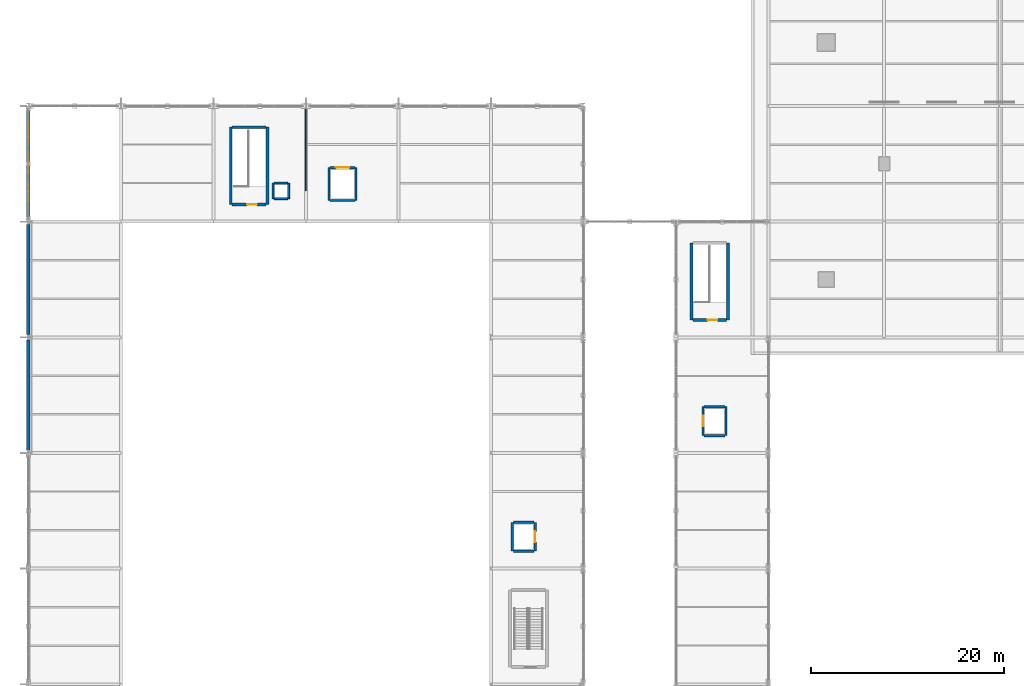
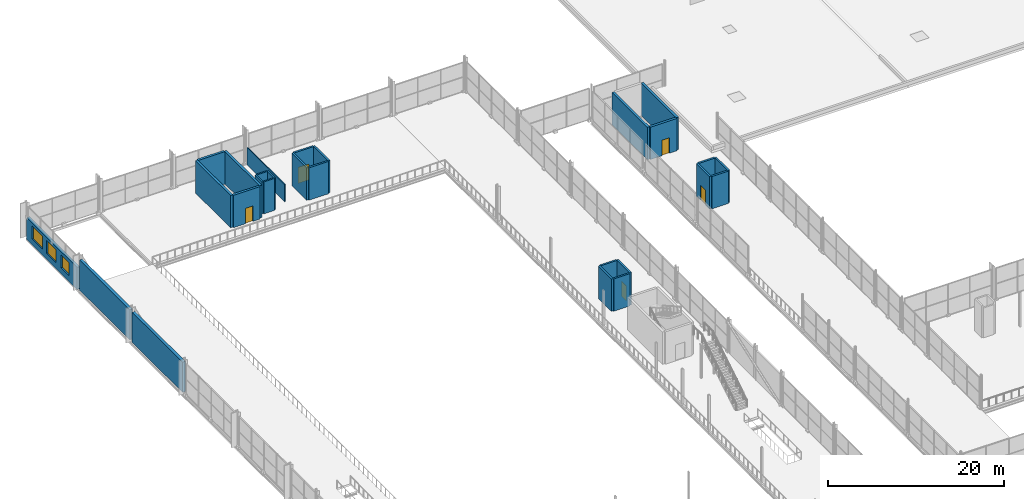
# One storey, part 139 of 159: 27 walls, 5 doors, 3 windows, 8 openings.
"""IFC4 building model written with IfcOpenShell, lengths in metres."""

from ifc_helpers import new_model, si_unit, direction, frame, frame_2d, origin, place, context, subcontext, project, spatial, rectangle, extrude, material, layer, layer_set, type_object, element, fill, save


model = new_model("IFC4")

# Units and contexts
model_context = context("Model", 3, precision=1e-05, world=origin(), true_north=direction((0.0, 1.0)))
body_context = subcontext(model_context, "Body", "Model", "MODEL_VIEW")
ifc_project = project(units=[si_unit("LENGTHUNIT", "METRE"), si_unit("AREAUNIT", "SQUARE_METRE"), si_unit("VOLUMEUNIT", "CUBIC_METRE"), si_unit("PLANEANGLEUNIT", "RADIAN"), si_unit("MASSUNIT", "GRAM", prefix="KILO")], contexts=[model_context])

# Site, building, storey
site_placement = place(None, origin())
site = spatial("IfcSite", under=ifc_project, at=site_placement, CompositionType="ELEMENT")
building_placement = place(site_placement, origin())
building = spatial("IfcBuilding", under=site, at=building_placement, Name="Merenkruunu Market Hall", CompositionType="ELEMENT")
storey_placement = place(building_placement, frame((0.0, 0.0, 5.39990234375)))
storey = spatial("IfcBuildingStorey", under=building, at=storey_placement, Name="L01", CompositionType="ELEMENT", Elevation=5.39990234375)

# Walls
ifc_material_1 = material(Name="Precast concrete C40/50", Category="concrete")
ifc_layer_1 = layer(ifc_material_1, 0.3798828125)
ifc_layer_set_1 = layer_set([ifc_layer_1], Name="Precast concrete C40/50")
wall_type_1 = type_object("IfcWallType", Name="Exterior Envelope Wall EW02", PredefinedType="STANDARD", material=ifc_layer_set_1)
for number, where, z_axis, x_axis, name in (
    (1, (0.0, 75.87890625, 0.0), (0.0, 0.0, 1.0), (0.0, 1.0, 0.0), "WALL-EXT-L01-0005"),
    (2, (0.0, 87.87890625, 0.0), (0.0, 0.0, 1.0), (0.0, 1.0, 0.0), "WALL-EXT-L01-0008"),
):
    element("IfcWall", number, at=place(storey_placement, frame(where, z_axis=z_axis, x_axis=x_axis)), inside=storey, type_object=wall_type_1, Name=name, PredefinedType="STANDARD", context=body_context, shape_type="SweptSolid", body=[
        extrude(rectangle(XDim=11.442138671875, YDim=0.3798828125, at=frame_2d((5.72119140625, 0.0))), origin(), (0.0, 0.0, 1.0), 4.18505859375),
    ])

# Wall, openings, windows
wall_1_placement = place(storey_placement, frame((0.0, 99.87890625, -0.27978515625), z_axis=(0.0, 0.0, 1.0), x_axis=(0.0, 1.0, 0.0)))
wall_1 = element("IfcWall", 3, at=wall_1_placement, inside=storey, type_object=wall_type_1, Name="WALL-EXT-L01-0011", PredefinedType="STANDARD", context=body_context, shape_type="SweptSolid", body=[
    extrude(rectangle(XDim=11.442138671875, YDim=0.3798828125, at=frame_2d((5.72119140625, 0.0))), origin(), (0.0, 0.0, 1.0), 3.079833984375),
])
opening_1_placement = place(wall_1_placement, frame((1.800048828125, 0.0, 0.85009765625)))
opening_1 = element("IfcOpeningElement", 4, at=opening_1_placement, cuts=wall_1, Name="Opening WN03", PredefinedType="OPENING", context=body_context, shape_type="SweptSolid", body=[
    extrude(rectangle(XDim=1.800048828125, YDim=1.800048828125, at=frame_2d((0.89990234375, 0.89990234375))), frame((0.0, 0.199951171875, 0.0), z_axis=(0.0, -1.0, 0.0), x_axis=(1.0, 0.0, 0.0)), (0.0, 0.0, 1.0), 0.39990234375),
])
opening_2_placement = place(wall_1_placement, frame((4.800048828125, 0.0, 0.85009765625)))
opening_2 = element("IfcOpeningElement", 5, at=opening_2_placement, cuts=wall_1, Name="Opening WN04", PredefinedType="OPENING", context=body_context, shape_type="SweptSolid", body=[
    extrude(rectangle(XDim=2.10009765625, YDim=1.800048828125, at=frame_2d((1.050048828125, 0.89990234375))), frame((0.0, 0.199951171875, 0.0), z_axis=(0.0, -1.0, 0.0), x_axis=(1.0, 0.0, 0.0)), (0.0, 0.0, 1.0), 0.39990234375),
])
opening_3_placement = place(wall_1_placement, frame((7.800048828125, 0.0, 0.85009765625)))
opening_3 = element("IfcOpeningElement", 6, at=opening_3_placement, cuts=wall_1, Name="Opening WN05", PredefinedType="OPENING", context=body_context, shape_type="SweptSolid", body=[
    extrude(rectangle(XDim=2.39990234375, YDim=1.800048828125, at=frame_2d((1.199951171875, 0.89990234375))), frame((0.0, 0.199951171875, 0.0), z_axis=(0.0, -1.0, 0.0), x_axis=(1.0, 0.0, 0.0)), (0.0, 0.0, 1.0), 0.39990234375),
])
ifc_material_2 = material(Name="Triple low-E insulated glass", Category="glass")
ifc_layer_2 = layer(ifc_material_2, 0.06005859375)
ifc_layer_set_2 = layer_set([ifc_layer_2], Name="Triple low-E insulated glass")
window_type_1 = type_object("IfcWindowType", Name="Exterior Window WN03", PartitioningType="SINGLE_PANEL", PredefinedType="WINDOW", material=ifc_layer_set_2)
window_1_placement = place(opening_1_placement, origin())
window_1 = element("IfcWindow", 7, at=window_1_placement, inside=storey, type_object=window_type_1, Name="WIN-L01-0001", OverallHeight=1.800048828125, OverallWidth=1.800048828125, PartitioningType="SINGLE_PANEL", PredefinedType="WINDOW", context=body_context, shape_type="SweptSolid", body=[
    extrude(rectangle(XDim=1.800048828125, YDim=1.800048828125, at=frame_2d((0.89990234375, 0.89990234375))), frame((0.0, 0.030029296875, 0.0), z_axis=(0.0, -1.0, 0.0), x_axis=(1.0, 0.0, 0.0)), (0.0, 0.0, 1.0), 0.06005859375),
])
fill(opening_1, window_1)
ifc_layer_3 = layer(ifc_material_2, 0.06005859375)
ifc_layer_set_3 = layer_set([ifc_layer_3], Name="Triple low-E insulated glass")
window_type_2 = type_object("IfcWindowType", Name="Exterior Window WN04", PartitioningType="SINGLE_PANEL", PredefinedType="WINDOW", material=ifc_layer_set_3)
window_2_placement = place(opening_2_placement, origin())
window_2 = element("IfcWindow", 8, at=window_2_placement, inside=storey, type_object=window_type_2, Name="WIN-L01-0002", OverallHeight=1.800048828125, OverallWidth=2.10009765625, PartitioningType="SINGLE_PANEL", PredefinedType="WINDOW", context=body_context, shape_type="SweptSolid", body=[
    extrude(rectangle(XDim=2.10009765625, YDim=1.800048828125, at=frame_2d((1.050048828125, 0.89990234375))), frame((0.0, 0.030029296875, 0.0), z_axis=(0.0, -1.0, 0.0), x_axis=(1.0, 0.0, 0.0)), (0.0, 0.0, 1.0), 0.06005859375),
])
fill(opening_2, window_2)
ifc_layer_4 = layer(ifc_material_2, 0.06005859375)
ifc_layer_set_4 = layer_set([ifc_layer_4], Name="Triple low-E insulated glass")
window_type_3 = type_object("IfcWindowType", Name="Exterior Window WN05", PartitioningType="SINGLE_PANEL", PredefinedType="WINDOW", material=ifc_layer_set_4)
window_3_placement = place(opening_3_placement, origin())
window_3 = element("IfcWindow", 9, at=window_3_placement, inside=storey, type_object=window_type_3, Name="WIN-L01-0003", OverallHeight=1.800048828125, OverallWidth=2.39990234375, PartitioningType="SINGLE_PANEL", PredefinedType="WINDOW", context=body_context, shape_type="SweptSolid", body=[
    extrude(rectangle(XDim=2.39990234375, YDim=1.800048828125, at=frame_2d((1.199951171875, 0.89990234375))), frame((0.0, 0.030029296875, 0.0), z_axis=(0.0, -1.0, 0.0), x_axis=(1.0, 0.0, 0.0)), (0.0, 0.0, 1.0), 0.06005859375),
])
fill(opening_3, window_3)

# Walls
ifc_material_3 = material(Name="Gypsum fire compartment board")
ifc_layer_5 = layer(ifc_material_3, 0.199951171875)
ifc_layer_set_5 = layer_set([ifc_layer_5], Name="Gypsum fire compartment board")
wall_type_2 = type_object("IfcWallType", Name="Interior Partition Wall FW02", PredefinedType="PARTITIONING", material=ifc_layer_set_5)
wall_2_placement = place(storey_placement, frame((25.501953125, 102.0, 0.0), z_axis=(0.0, 0.0, 1.0), x_axis=(1.0, 0.0, 0.0)))
element("IfcWall", 10, at=wall_2_placement, inside=storey, type_object=wall_type_2, Name="WALL-INT-L01-0119", PredefinedType="PARTITIONING", context=body_context, shape_type="SweptSolid", body=[
    extrude(rectangle(XDim=1.39599609375, YDim=0.199951171875, at=frame_2d((0.697998046875, 0.0))), origin(), (0.0, 0.0, 1.0), 4.440185546875),
])
wall_3_placement = place(storey_placement, frame((27.0, 102.0, 0.0), z_axis=(0.0, 0.0, 1.0), x_axis=(0.0, 1.0, 0.0)))
element("IfcWall", 11, at=wall_3_placement, inside=storey, type_object=wall_type_2, Name="WALL-INT-L01-0120", PredefinedType="PARTITIONING", context=body_context, shape_type="SweptSolid", body=[
    extrude(rectangle(XDim=1.60009765625, YDim=0.199951171875, at=frame_2d((0.800048828125, 0.0))), origin(), (0.0, 0.0, 1.0), 4.440185546875),
])
wall_4_placement = place(storey_placement, frame((26.89794921875, 103.60009765625, 0.0), z_axis=(0.0, 0.0, 1.0), x_axis=(-1.0, 0.0, 0.0)))
element("IfcWall", 12, at=wall_4_placement, inside=storey, type_object=wall_type_2, Name="WALL-INT-L01-0121", PredefinedType="PARTITIONING", context=body_context, shape_type="SweptSolid", body=[
    extrude(rectangle(XDim=1.39599609375, YDim=0.199951171875, at=frame_2d((0.697998046875, 0.0))), origin(), (0.0, 0.0, 1.0), 4.440185546875),
])
wall_5_placement = place(storey_placement, frame((25.39990234375, 103.60009765625, 0.0), z_axis=(0.0, 0.0, 1.0), x_axis=(0.0, -1.0, 0.0)))
element("IfcWall", 13, at=wall_5_placement, inside=storey, type_object=wall_type_2, Name="WALL-INT-L01-0122", PredefinedType="PARTITIONING", context=body_context, shape_type="SweptSolid", body=[
    extrude(rectangle(XDim=1.60009765625, YDim=0.199951171875, at=frame_2d((0.800048828125, 0.0))), origin(), (0.0, 0.0, 1.0), 4.440185546875),
])
ifc_material_4 = material(Name="Lacquered Nordic birch stall divider", Category="wood")
ifc_layer_6 = layer(ifc_material_4, 0.1201171875)
ifc_layer_set_6 = layer_set([ifc_layer_6], Name="Lacquered Nordic birch stall divider")
wall_type_3 = type_object("IfcWallType", Name="Interior Partition Wall PW03", PredefinedType="PARTITIONING", material=ifc_layer_set_6)
wall_6_placement = place(storey_placement, frame((28.800048828125, 102.800048828125, 0.0), z_axis=(0.0, 0.0, 1.0), x_axis=(0.0, 1.0, 0.0)))
element("IfcWall", 14, at=wall_6_placement, inside=storey, type_object=wall_type_3, Name="WALL-INT-L01-0054", PredefinedType="PARTITIONING", context=body_context, shape_type="SweptSolid", body=[
    extrude(rectangle(XDim=8.5, YDim=0.1201171875, at=frame_2d((4.25, 0.0))), origin(), (0.0, 0.0, 1.0), 2.400146484375),
])

# Wall, opening, door
ifc_material_5 = material(Name="Concrete C35/45", Category="concrete")
ifc_layer_7 = layer(ifc_material_5, 0.300048828125)
ifc_layer_set_7 = layer_set([ifc_layer_7], Name="Concrete C35/45")
wall_type_4 = type_object("IfcWallType", Name="Structural Shear Wall SW02", PredefinedType="SHEAR", material=ifc_layer_set_7)
wall_7_placement = place(storey_placement, frame((24.64990234375, 101.39990234375, 0.0), z_axis=(0.0, 0.0, 1.0), x_axis=(-1.0, 0.0, 0.0)))
wall_7 = element("IfcWall", 15, at=wall_7_placement, inside=storey, type_object=wall_type_4, Name="WALL-CORE-K1-L01-S", PredefinedType="SHEAR", context=body_context, shape_type="SweptSolid", body=[
    extrude(rectangle(XDim=3.5, YDim=0.300048828125, at=frame_2d((1.75, 0.0))), origin(), (0.0, 0.0, 1.0), 4.5),
])
opening_4_placement = place(wall_7_placement, frame((0.949951171875, 0.0, 0.0)))
opening_4 = element("IfcOpeningElement", 16, at=opening_4_placement, cuts=wall_7, Name="Opening FD01", PredefinedType="OPENING", context=body_context, shape_type="SweptSolid", body=[
    extrude(rectangle(XDim=1.0, YDim=2.14990234375, at=frame_2d((0.5, 1.074951171875))), frame((0.0, 0.16015625, 0.0), z_axis=(0.0, -1.0, 0.0), x_axis=(1.0, 0.0, 0.0)), (0.0, 0.0, 1.0), 0.320068359375),
])
ifc_material_6 = material(Name="Powder-coated aluminium", Category="aluminium")
door_type_1 = type_object("IfcDoorType", Name="Fire Compartment Door FD01", OperationType="NOTDEFINED", PredefinedType="DOOR", material=ifc_material_6)
door_1_placement = place(opening_4_placement, origin())
door_1 = element("IfcDoor", 17, at=door_1_placement, inside=storey, type_object=door_type_1, Name="DR-L01-101", OperationType="SINGLE_SWING_LEFT", OverallHeight=2.14990234375, OverallWidth=1.0, PredefinedType="DOOR", context=body_context, shape_type="SweptSolid", body=[
    extrude(rectangle(XDim=1.0, YDim=2.14990234375, at=frame_2d((0.5, 1.074951171875))), frame((0.0, 0.02490234375, 0.0), z_axis=(0.0, -1.0, 0.0), x_axis=(1.0, 0.0, 0.0)), (0.0, 0.0, 1.0), 0.050048828125),
])
fill(opening_4, door_1)

# Walls
wall_8_placement = place(storey_placement, frame((24.800048828125, 101.39990234375, 0.0), z_axis=(0.0, 0.0, 1.0), x_axis=(0.0, 1.0, 0.0)))
element("IfcWall", 18, at=wall_8_placement, inside=storey, type_object=wall_type_4, Name="WALL-CORE-K1-L01-E", PredefinedType="SHEAR", context=body_context, shape_type="SweptSolid", body=[
    extrude(rectangle(XDim=8.0, YDim=0.300048828125, at=frame_2d((4.0, 0.0))), origin(), (0.0, 0.0, 1.0), 4.5),
])
wall_9_placement = place(storey_placement, frame((24.64990234375, 109.39990234375, 0.0), z_axis=(0.0, 0.0, 1.0), x_axis=(-1.0, 0.0, 0.0)))
element("IfcWall", 19, at=wall_9_placement, inside=storey, type_object=wall_type_4, Name="WALL-CORE-K1-L01-N", PredefinedType="SHEAR", context=body_context, shape_type="SweptSolid", body=[
    extrude(rectangle(XDim=3.5, YDim=0.300048828125, at=frame_2d((1.75, 0.0))), origin(), (0.0, 0.0, 1.0), 4.5),
])
wall_10_placement = place(storey_placement, frame((21.0, 109.39990234375, 0.0), z_axis=(0.0, 0.0, 1.0), x_axis=(0.0, -1.0, 0.0)))
element("IfcWall", 20, at=wall_10_placement, inside=storey, type_object=wall_type_4, Name="WALL-CORE-K1-L01-W", PredefinedType="SHEAR", context=body_context, shape_type="SweptSolid", body=[
    extrude(rectangle(XDim=8.0, YDim=0.300048828125, at=frame_2d((4.0, 0.0))), origin(), (0.0, 0.0, 1.0), 4.5),
])

# Wall, opening, door
wall_11_placement = place(storey_placement, frame((72.449951171875, 89.39990234375, 0.0), z_axis=(0.0, 0.0, 1.0), x_axis=(-1.0, 0.0, 0.0)))
wall_11 = element("IfcWall", 21, at=wall_11_placement, inside=storey, type_object=wall_type_4, Name="WALL-CORE-K4-L01-S", PredefinedType="SHEAR", context=body_context, shape_type="SweptSolid", body=[
    extrude(rectangle(XDim=3.5, YDim=0.300048828125, at=frame_2d((1.75, 0.0))), origin(), (0.0, 0.0, 1.0), 4.5),
])
opening_5_placement = place(wall_11_placement, frame((0.949951171875, 0.0, 0.0)))
opening_5 = element("IfcOpeningElement", 22, at=opening_5_placement, cuts=wall_11, Name="Opening FD01", PredefinedType="OPENING", context=body_context, shape_type="SweptSolid", body=[
    extrude(rectangle(XDim=1.0, YDim=2.14990234375, at=frame_2d((0.5, 1.074951171875))), frame((0.0, 0.16015625, 0.0), z_axis=(0.0, -1.0, 0.0), x_axis=(1.0, 0.0, 0.0)), (0.0, 0.0, 1.0), 0.320068359375),
])
door_2_placement = place(opening_5_placement, origin())
door_2 = element("IfcDoor", 23, at=door_2_placement, inside=storey, type_object=door_type_1, Name="DR-L01-110", OperationType="SINGLE_SWING_RIGHT", OverallHeight=2.14990234375, OverallWidth=1.0, PredefinedType="DOOR", context=body_context, shape_type="SweptSolid", body=[
    extrude(rectangle(XDim=1.0, YDim=2.14990234375, at=frame_2d((0.5, 1.074951171875))), frame((0.0, 0.02490234375, 0.0), z_axis=(0.0, -1.0, 0.0), x_axis=(1.0, 0.0, 0.0)), (0.0, 0.0, 1.0), 0.050048828125),
])
fill(opening_5, door_2)

# Walls
for number, where, z_axis, x_axis, name in (
    (24, (72.60009765625, 89.39990234375, 0.0), (0.0, 0.0, 1.0), (0.0, 1.0, 0.0), "WALL-CORE-K4-L01-E"),
    (25, (68.800048828125, 97.39990234375, 0.0), (0.0, 0.0, 1.0), (0.0, -1.0, 0.0), "WALL-CORE-K4-L01-W"),
):
    element("IfcWall", number, at=place(storey_placement, frame(where, z_axis=z_axis, x_axis=x_axis)), inside=storey, type_object=wall_type_4, Name=name, PredefinedType="SHEAR", context=body_context, shape_type="SweptSolid", body=[
        extrude(rectangle(XDim=8.0, YDim=0.300048828125, at=frame_2d((4.0, 0.0))), origin(), (0.0, 0.0, 1.0), 4.5),
    ])
ifc_layer_8 = layer(ifc_material_5, 0.239990234375)
ifc_layer_set_8 = layer_set([ifc_layer_8], Name="Concrete C35/45")
wall_type_5 = type_object("IfcWallType", Name="Structural Shear Wall SW04", PredefinedType="SHEAR", material=ifc_layer_set_8)
wall_12_placement = place(storey_placement, frame((50.320068359375, 65.39990234375, 0.0), z_axis=(0.0, 0.0, 1.0), x_axis=(1.0, 0.0, 0.0)))
element("IfcWall", 26, at=wall_12_placement, inside=storey, type_object=wall_type_5, Name="WALL-LIFT-LP1-L01-S", PredefinedType="SHEAR", context=body_context, shape_type="SweptSolid", body=[
    extrude(rectangle(XDim=2.159912109375, YDim=0.239990234375, at=frame_2d((1.080078125, 0.0))), origin(), (0.0, 0.0, 1.0), 4.489990234375),
])

# Wall, opening, door
wall_13_placement = place(storey_placement, frame((52.60009765625, 65.39990234375, 0.0), z_axis=(0.0, 0.0, 1.0), x_axis=(0.0, 1.0, 0.0)))
wall_13 = element("IfcWall", 27, at=wall_13_placement, inside=storey, type_object=wall_type_5, Name="WALL-LIFT-LP1-L01-E", PredefinedType="SHEAR", context=body_context, shape_type="SweptSolid", body=[
    extrude(rectangle(XDim=3.0, YDim=0.239990234375, at=frame_2d((1.5, 0.0))), origin(), (0.0, 0.0, 1.0), 4.489990234375),
])
opening_6_placement = place(wall_13_placement, frame((0.949951171875, 0.0, 0.0)))
opening_6 = element("IfcOpeningElement", 28, at=opening_6_placement, cuts=wall_13, Name="Opening LD01", PredefinedType="OPENING", context=body_context, shape_type="SweptSolid", body=[
    extrude(rectangle(XDim=1.10009765625, YDim=2.10009765625, at=frame_2d((0.550048828125, 1.050048828125))), frame((0.0, 0.1298828125, 0.0), z_axis=(0.0, -1.0, 0.0), x_axis=(1.0, 0.0, 0.0)), (0.0, 0.0, 1.0), 0.260009765625),
])
ifc_material_7 = material(Name="Brushed stainless steel", Category="steel")
door_type_2 = type_object("IfcDoorType", Name="Lift Landing Sliding Door LD01", OperationType="NOTDEFINED", PredefinedType="DOOR", material=ifc_material_7)
door_3_placement = place(opening_6_placement, origin())
door_3 = element("IfcDoor", 29, at=door_3_placement, inside=storey, type_object=door_type_2, Name="Lift landing door LP1 L01", OperationType="SLIDING_TO_LEFT", OverallHeight=2.10009765625, OverallWidth=1.10009765625, PredefinedType="DOOR", context=body_context, shape_type="SweptSolid", body=[
    extrude(rectangle(XDim=1.10009765625, YDim=2.10009765625, at=frame_2d((0.550048828125, 1.050048828125))), frame((0.0, 0.02490234375, 0.0), z_axis=(0.0, -1.0, 0.0), x_axis=(1.0, 0.0, 0.0)), (0.0, 0.0, 1.0), 0.050048828125),
])
fill(opening_6, door_3)

# Walls
wall_14_placement = place(storey_placement, frame((52.47998046875, 68.39990234375, 0.0), z_axis=(0.0, 0.0, 1.0), x_axis=(-1.0, 0.0, 0.0)))
element("IfcWall", 30, at=wall_14_placement, inside=storey, type_object=wall_type_5, Name="WALL-LIFT-LP1-L01-N", PredefinedType="SHEAR", context=body_context, shape_type="SweptSolid", body=[
    extrude(rectangle(XDim=2.159912109375, YDim=0.239990234375, at=frame_2d((1.080078125, 0.0))), origin(), (0.0, 0.0, 1.0), 4.489990234375),
])
wall_15_placement = place(storey_placement, frame((50.199951171875, 68.39990234375, 0.0), z_axis=(0.0, 0.0, 1.0), x_axis=(0.0, -1.0, 0.0)))
element("IfcWall", 31, at=wall_15_placement, inside=storey, type_object=wall_type_5, Name="WALL-LIFT-LP1-L01-W", PredefinedType="SHEAR", context=body_context, shape_type="SweptSolid", body=[
    extrude(rectangle(XDim=3.0, YDim=0.239990234375, at=frame_2d((1.5, 0.0))), origin(), (0.0, 0.0, 1.0), 4.489990234375),
])
wall_16_placement = place(storey_placement, frame((70.1201171875, 77.39990234375, 0.0), z_axis=(0.0, 0.0, 1.0), x_axis=(1.0, 0.0, 0.0)))
element("IfcWall", 32, at=wall_16_placement, inside=storey, type_object=wall_type_5, Name="WALL-LIFT-LP2-L01-S", PredefinedType="SHEAR", context=body_context, shape_type="SweptSolid", body=[
    extrude(rectangle(XDim=2.159912109375, YDim=0.239990234375, at=frame_2d((1.080078125, 0.0))), origin(), (0.0, 0.0, 1.0), 4.5),
])
wall_17_placement = place(storey_placement, frame((72.39990234375, 77.39990234375, 0.0), z_axis=(0.0, 0.0, 1.0), x_axis=(0.0, 1.0, 0.0)))
element("IfcWall", 33, at=wall_17_placement, inside=storey, type_object=wall_type_5, Name="WALL-LIFT-LP2-L01-E", PredefinedType="SHEAR", context=body_context, shape_type="SweptSolid", body=[
    extrude(rectangle(XDim=3.0, YDim=0.239990234375, at=frame_2d((1.5, 0.0))), origin(), (0.0, 0.0, 1.0), 4.5),
])
wall_18_placement = place(storey_placement, frame((72.280029296875, 80.39990234375, 0.0), z_axis=(0.0, 0.0, 1.0), x_axis=(-1.0, 0.0, 0.0)))
element("IfcWall", 34, at=wall_18_placement, inside=storey, type_object=wall_type_5, Name="WALL-LIFT-LP2-L01-N", PredefinedType="SHEAR", context=body_context, shape_type="SweptSolid", body=[
    extrude(rectangle(XDim=2.159912109375, YDim=0.239990234375, at=frame_2d((1.080078125, 0.0))), origin(), (0.0, 0.0, 1.0), 4.5),
])

# Wall, opening, door
wall_19_placement = place(storey_placement, frame((70.0, 80.39990234375, 0.0), z_axis=(0.0, 0.0, 1.0), x_axis=(0.0, -1.0, 0.0)))
wall_19 = element("IfcWall", 35, at=wall_19_placement, inside=storey, type_object=wall_type_5, Name="WALL-LIFT-LP2-L01-W", PredefinedType="SHEAR", context=body_context, shape_type="SweptSolid", body=[
    extrude(rectangle(XDim=3.0, YDim=0.239990234375, at=frame_2d((1.5, 0.0))), origin(), (0.0, 0.0, 1.0), 4.5),
])
opening_7_placement = place(wall_19_placement, frame((0.949951171875, 0.0, 0.0)))
opening_7 = element("IfcOpeningElement", 36, at=opening_7_placement, cuts=wall_19, Name="Opening LD01", PredefinedType="OPENING", context=body_context, shape_type="SweptSolid", body=[
    extrude(rectangle(XDim=1.10009765625, YDim=2.10009765625, at=frame_2d((0.550048828125, 1.050048828125))), frame((0.0, 0.1298828125, 0.0), z_axis=(0.0, -1.0, 0.0), x_axis=(1.0, 0.0, 0.0)), (0.0, 0.0, 1.0), 0.260009765625),
])
door_4_placement = place(opening_7_placement, origin())
door_4 = element("IfcDoor", 37, at=door_4_placement, inside=storey, type_object=door_type_2, Name="Lift landing door LP2 L01", OperationType="SLIDING_TO_LEFT", OverallHeight=2.10009765625, OverallWidth=1.10009765625, PredefinedType="DOOR", context=body_context, shape_type="SweptSolid", body=[
    extrude(rectangle(XDim=1.10009765625, YDim=2.10009765625, at=frame_2d((0.550048828125, 1.050048828125))), frame((0.0, 0.02490234375, 0.0), z_axis=(0.0, -1.0, 0.0), x_axis=(1.0, 0.0, 0.0)), (0.0, 0.0, 1.0), 0.050048828125),
])
fill(opening_7, door_4)

# Walls
wall_20_placement = place(storey_placement, frame((31.320068359375, 101.800048828125, 0.0), z_axis=(0.0, 0.0, 1.0), x_axis=(1.0, 0.0, 0.0)))
element("IfcWall", 38, at=wall_20_placement, inside=storey, type_object=wall_type_5, Name="WALL-LIFT-LG1-L01-S", PredefinedType="SHEAR", context=body_context, shape_type="SweptSolid", body=[
    extrude(rectangle(XDim=2.559814453125, YDim=0.239990234375, at=frame_2d((1.27978515625, 0.0))), origin(), (0.0, 0.0, 1.0), 4.5),
])
wall_21_placement = place(storey_placement, frame((34.0, 101.800048828125, 0.0), z_axis=(0.0, 0.0, 1.0), x_axis=(0.0, 1.0, 0.0)))
element("IfcWall", 39, at=wall_21_placement, inside=storey, type_object=wall_type_5, Name="WALL-LIFT-LG1-L01-E", PredefinedType="SHEAR", context=body_context, shape_type="SweptSolid", body=[
    extrude(rectangle(XDim=3.39990234375, YDim=0.239990234375, at=frame_2d((1.699951171875, 0.0))), origin(), (0.0, 0.0, 1.0), 4.5),
])

# Wall, opening, door
wall_22_placement = place(storey_placement, frame((33.8798828125, 105.199951171875, 0.0), z_axis=(0.0, 0.0, 1.0), x_axis=(-1.0, 0.0, 0.0)))
wall_22 = element("IfcWall", 40, at=wall_22_placement, inside=storey, type_object=wall_type_5, Name="WALL-LIFT-LG1-L01-N", PredefinedType="SHEAR", context=body_context, shape_type="SweptSolid", body=[
    extrude(rectangle(XDim=2.559814453125, YDim=0.239990234375, at=frame_2d((1.27978515625, 0.0))), origin(), (0.0, 0.0, 1.0), 4.5),
])
opening_8_placement = place(wall_22_placement, frame((0.580078125, 0.0, 0.0)))
opening_8 = element("IfcOpeningElement", 41, at=opening_8_placement, cuts=wall_22, Name="Opening LD02", PredefinedType="OPENING", context=body_context, shape_type="SweptSolid", body=[
    extrude(rectangle(XDim=1.39990234375, YDim=2.25, at=frame_2d((0.699951171875, 1.125))), frame((0.0, 0.1298828125, 0.0), z_axis=(0.0, -1.0, 0.0), x_axis=(1.0, 0.0, 0.0)), (0.0, 0.0, 1.0), 0.260009765625),
])
door_type_3 = type_object("IfcDoorType", Name="Lift Landing Sliding Door LD02", OperationType="NOTDEFINED", PredefinedType="DOOR", material=ifc_material_7)
door_5_placement = place(opening_8_placement, origin())
door_5 = element("IfcDoor", 42, at=door_5_placement, inside=storey, type_object=door_type_3, Name="Lift landing door LG1 L01", OperationType="DOUBLE_DOOR_SLIDING", OverallHeight=2.25, OverallWidth=1.39990234375, PredefinedType="DOOR", context=body_context, shape_type="SweptSolid", body=[
    extrude(rectangle(XDim=1.39990234375, YDim=2.25, at=frame_2d((0.699951171875, 1.125))), frame((0.0, 0.02490234375, 0.0), z_axis=(0.0, -1.0, 0.0), x_axis=(1.0, 0.0, 0.0)), (0.0, 0.0, 1.0), 0.050048828125),
])
fill(opening_8, door_5)

# Wall
wall_23_placement = place(storey_placement, frame((31.199951171875, 105.199951171875, 0.0), z_axis=(0.0, 0.0, 1.0), x_axis=(0.0, -1.0, 0.0)))
element("IfcWall", 43, at=wall_23_placement, inside=storey, type_object=wall_type_5, Name="WALL-LIFT-LG1-L01-W", PredefinedType="SHEAR", context=body_context, shape_type="SweptSolid", body=[
    extrude(rectangle(XDim=3.39990234375, YDim=0.239990234375, at=frame_2d((1.699951171875, 0.0))), origin(), (0.0, 0.0, 1.0), 4.5),
])

save(model, "model.ifc")
